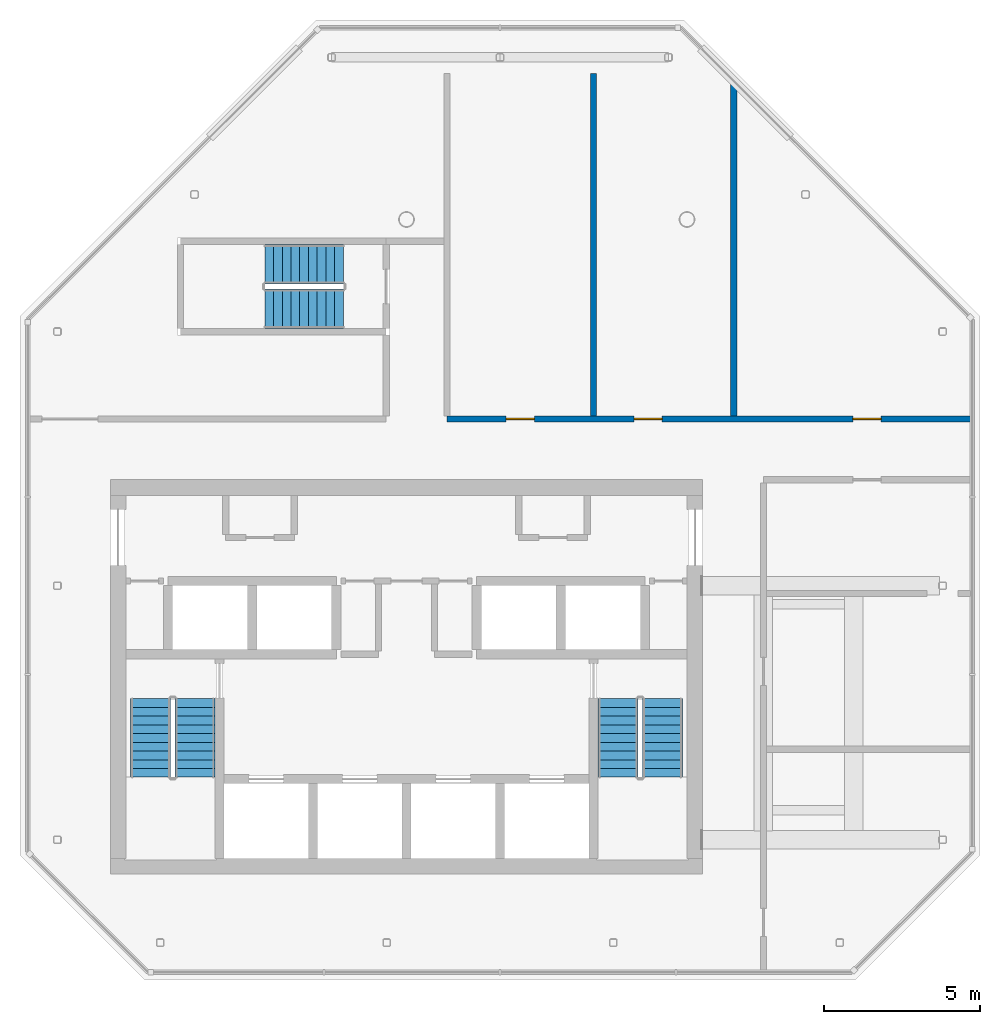
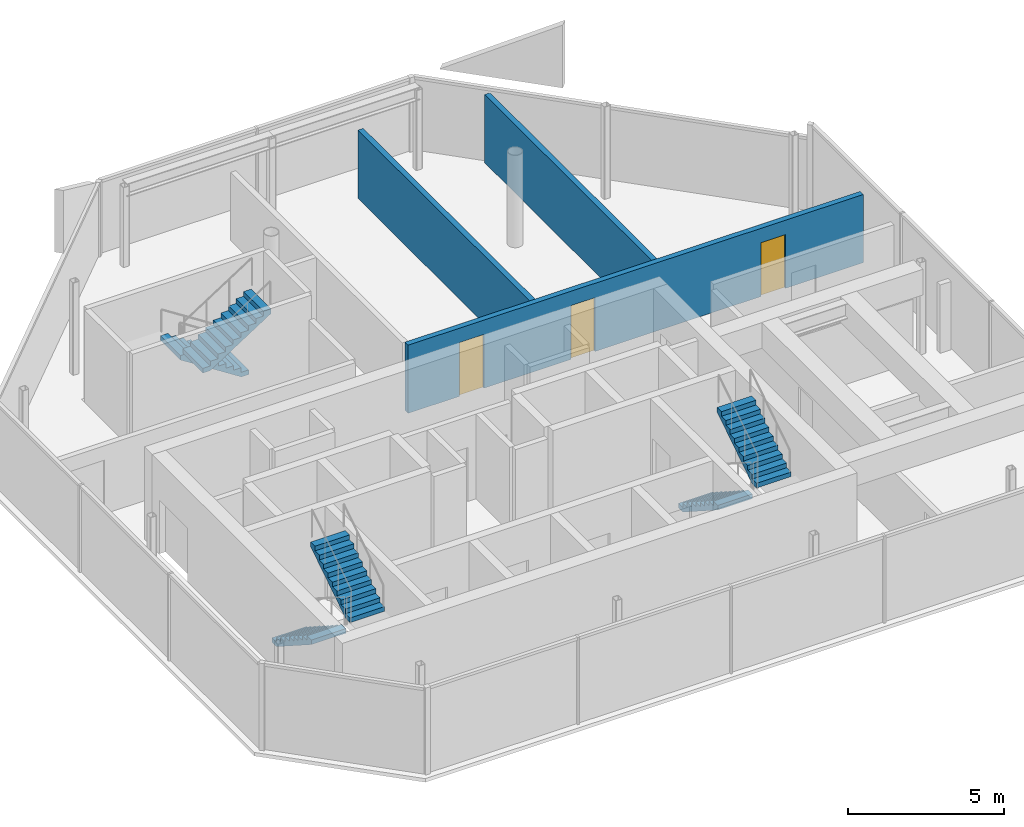
# One storey, part 6 of 7: 6 stair flights, 3 doors, 3 walls, 3 openings, 3 elements without a shape of their own.
"""IFC4 building model written with IfcOpenShell, lengths in metres."""

import ifcopenshell
import ifcopenshell.guid

model = None  # the IFC model being written
_history = None  # IfcOwnerHistory: only IFC2X3 demands one
_inside = {}  # id of a spatial element -> (the spatial element, [elements in it])
_under = {}  # id of a project, library or spatial element -> (it, [spatial elements below it])
_declared = {}  # id of a project -> (the project, [libraries it declares])
_typed = {}  # id of a type object -> (the type object, [elements of that type])
_made_of = {}  # id of a material, layer set ... -> (it, [elements and type objects made of it])


def new_model(schema):
    """Start an empty IFC model of exactly this schema.

    Asked for "IFC4X3", IfcOpenShell would pick the latest addendum, in which some entities
    have other attributes; the version numbers below select the first issue.
    IFC2X3 requires an IfcOwnerHistory on every rooted entity: one is made here for all.
    """
    global model, _history
    if schema == "IFC4X3":
        model = ifcopenshell.file(schema_version=(4, 3, 0, 0))
    else:
        model = ifcopenshell.file(schema=schema)
    _inside.clear()
    _under.clear()
    _declared.clear()
    _typed.clear()
    _made_of.clear()
    _history = None
    if model.schema == "IFC2X3":
        org = make("IfcOrganization", Name="unknown")
        user = make(
            "IfcPersonAndOrganization",
            ThePerson=make("IfcPerson", FamilyName="unknown"),
            TheOrganization=org,
        )
        app = make(
            "IfcApplication",
            ApplicationDeveloper=org,
            Version="unknown",
            ApplicationFullName="unknown",
            ApplicationIdentifier="unknown",
        )
        _history = make(
            "IfcOwnerHistory",
            OwningUser=user,
            OwningApplication=app,
            ChangeAction="ADDED",
            CreationDate=0,
        )
    return model


def make(cls, **values):
    """One entity of the class cls with the attributes given. An attribute that is None is left unset."""
    return model.create_entity(
        cls, **{name: value for name, value in values.items() if value is not None}
    )


def rooted(cls, **values):
    """An entity with a GlobalId (a new one), such as an element, a storey or a relation."""
    return make(cls, GlobalId=ifcopenshell.guid.new(), OwnerHistory=_history, **values)


def si_unit(unit_type, name, prefix=None):
    """IfcSIUnit, for example si_unit("LENGTHUNIT", "METRE", prefix="MILLI")."""
    return make("IfcSIUnit", UnitType=unit_type, Prefix=prefix, Name=name)


def assignment(units):
    """IfcUnitAssignment: the units of a project."""
    return None if units is None else make("IfcUnitAssignment", Units=units)


def point(xyz):
    """IfcCartesianPoint."""
    return None if xyz is None else make("IfcCartesianPoint", Coordinates=xyz)


def direction(xyz):
    """IfcDirection."""
    return None if xyz is None else make("IfcDirection", DirectionRatios=xyz)


def frame(location, z_axis=None, x_axis=None):
    """IfcAxis2Placement3D, a coordinate frame: its origin and axes. An axis left out is left unset."""
    return make(
        "IfcAxis2Placement3D",
        Location=point(location),
        Axis=direction(z_axis),
        RefDirection=direction(x_axis),
    )


def frame_2d(location, x_axis=None):
    """IfcAxis2Placement2D, a coordinate frame in the plane: its origin and x axis."""
    return make(
        "IfcAxis2Placement2D", Location=point(location), RefDirection=direction(x_axis)
    )


def origin():
    """The frame at (0, 0, 0) with its axes left unset."""
    return frame((0.0, 0.0, 0.0))


def place(relative_to, where):
    """IfcLocalPlacement: puts the frame where relative to a parent placement (None: the world)."""
    return make(
        "IfcLocalPlacement", PlacementRelTo=relative_to, RelativePlacement=where
    )


def context(
    kind, dimensions, precision=None, world=None, true_north=None, identifier=None
):
    """IfcGeometricRepresentationContext, for example the 3D "Model" context."""
    return make(
        "IfcGeometricRepresentationContext",
        ContextIdentifier=identifier,
        ContextType=kind,
        CoordinateSpaceDimension=dimensions,
        Precision=precision,
        WorldCoordinateSystem=world,
        TrueNorth=true_north,
    )


def subcontext(parent, identifier, kind, view, scale=None):
    """IfcGeometricRepresentationSubContext, for example "Body" below "Model"."""
    return make(
        "IfcGeometricRepresentationSubContext",
        ContextIdentifier=identifier,
        ContextType=kind,
        ParentContext=parent,
        TargetScale=scale,
        TargetView=view,
    )


def project(units=None, contexts=None):
    """IfcProject with its units and contexts."""
    return rooted(
        "IfcProject",
        Name="project",
        RepresentationContexts=contexts,
        UnitsInContext=assignment(units),
    )


def spatial(cls, under=None, at=None, **own):
    """A site, building, storey or space (cls), placed at a placement, below another one or the project."""
    s = rooted(cls, ObjectPlacement=at, **own)
    if under is not None:
        _under.setdefault(under.id(), (under, []))[1].append(s)
    return s


def polyline(points):
    """IfcPolyline through the points."""
    return make("IfcPolyline", Points=[point(p) for p in points])


def profile(cls, at=None, kind="AREA", **sizes):
    """A parametric profile (cls). Its sizes go by their IFC names, for example OverallWidth=200.0."""
    return make(cls, ProfileType=kind, Position=at, **sizes)


def rectangle(**sizes):
    """IfcRectangleProfileDef."""
    return profile("IfcRectangleProfileDef", **sizes)


def outline(outer, holes=None, kind="AREA"):
    """IfcArbitraryClosedProfileDef: a profile drawn as a closed curve; with holes, ...WithVoids."""
    if holes is None:
        return make("IfcArbitraryClosedProfileDef", ProfileType=kind, OuterCurve=outer)
    return make(
        "IfcArbitraryProfileDefWithVoids",
        ProfileType=kind,
        OuterCurve=outer,
        InnerCurves=holes,
    )


def extrude(swept, where, along, depth):
    """IfcExtrudedAreaSolid: the profile swept, set in the frame where, extruded along a direction by depth."""
    return make(
        "IfcExtrudedAreaSolid",
        SweptArea=swept,
        Position=where,
        ExtrudedDirection=direction(along),
        Depth=depth,
    )


def shape(context_of_items, identifier, shape_type, items):
    """IfcShapeRepresentation: the items that make up one representation, for example the "Body"."""
    return make(
        "IfcShapeRepresentation",
        ContextOfItems=context_of_items,
        RepresentationIdentifier=identifier,
        RepresentationType=shape_type,
        Items=items,
    )


def material(Name=None, Category=None):
    """IfcMaterial."""
    return make("IfcMaterial", Name=Name, Category=Category)


def layer(
    of_material, thickness, ventilated=None, Name=None, Category=None, Priority=None
):
    """IfcMaterialLayer: one layer of a wall or slab, of a material (None: an air gap)."""
    return make(
        "IfcMaterialLayer",
        Material=of_material,
        LayerThickness=thickness,
        IsVentilated=ventilated,
        Name=Name,
        Category=Category,
        Priority=Priority,
    )


def layer_set(layers, Name=None):
    """IfcMaterialLayerSet."""
    return make("IfcMaterialLayerSet", MaterialLayers=layers, LayerSetName=Name)


def made_of(thing, what):
    """Note that an element or type object is made of a material, layer set ...; save() writes the relation."""
    if what is not None:
        _made_of.setdefault(what.id(), (what, []))[1].append(thing)
    return thing


def type_object(cls, material=None, **own):
    """A type object (cls), such as IfcWallType, which elements share."""
    return made_of(rooted(cls, **own), material)


def element(
    cls,
    number,
    at=None,
    inside=None,
    cuts=None,
    type_object=None,
    material=None,
    context=None,
    identifier="Body",
    shape_type=None,
    held_by="IfcProductDefinitionShape",
    body=None,
    shapes=None,
    **own,
):
    """One element of the class cls, such as IfcWall. Its Tag is "e" and its number.

    at: its placement. inside: the storey or other place that contains it. cuts: it is an
    opening in that element (IfcRelVoidsElement). A single representation is given by context,
    identifier, shape_type and body (its items); several are given by shapes. held_by: the class
    of the entity that holds the representations. save() writes the other relations.
    """
    e = rooted(cls, Tag="e%d" % number, ObjectPlacement=at, **own)
    if body is not None:
        shapes = [shape(context, identifier, shape_type, body)]
    if shapes is not None:
        e.Representation = make(held_by, Representations=shapes)
    if inside is not None:
        _inside.setdefault(inside.id(), (inside, []))[1].append(e)
    if cuts is not None:
        rooted(
            "IfcRelVoidsElement", RelatingBuildingElement=cuts, RelatedOpeningElement=e
        )
    if type_object is not None:
        _typed.setdefault(type_object.id(), (type_object, []))[1].append(e)
    return made_of(e, material)


def fill(opening, filler):
    """IfcRelFillsElement: the door or window that sits in an opening."""
    return rooted(
        "IfcRelFillsElement",
        RelatingOpeningElement=opening,
        RelatedBuildingElement=filler,
    )


def aggregate(whole, parts):
    """IfcRelAggregates: a whole, such as a stair, and the parts it consists of."""
    return rooted("IfcRelAggregates", RelatingObject=whole, RelatedObjects=parts)


def save(model, path):
    """Write the relations noted so far, then the file.

    IfcRelAggregates (storeys below a building ...), IfcRelContainedInSpatialStructure (elements
    in a storey), IfcRelDefinesByType, IfcRelAssociatesMaterial and IfcRelDeclares: one each for
    every whole, place, type object, material and project.
    """
    for whole, parts in _under.values():
        aggregate(whole, parts)
    for where, things in _inside.values():
        rooted(
            "IfcRelContainedInSpatialStructure",
            RelatedElements=things,
            RelatingStructure=where,
        )
    for kind, things in _typed.values():
        rooted("IfcRelDefinesByType", RelatedObjects=things, RelatingType=kind)
    for what, things in _made_of.values():
        rooted("IfcRelAssociatesMaterial", RelatedObjects=things, RelatingMaterial=what)
    for by, libraries in _declared.values():
        rooted("IfcRelDeclares", RelatingContext=by, RelatedDefinitions=libraries)
    model.write(path)


model = new_model("IFC4")

# Units and contexts
model_context = context("Model", 3, precision=1e-05, world=origin(), true_north=direction((0.0, 1.0)))
body_context = subcontext(model_context, "Body", "Model", "MODEL_VIEW")
ifc_project = project(units=[si_unit("LENGTHUNIT", "METRE"), si_unit("AREAUNIT", "SQUARE_METRE"), si_unit("VOLUMEUNIT", "CUBIC_METRE"), si_unit("PLANEANGLEUNIT", "RADIAN"), si_unit("MASSUNIT", "GRAM", prefix="KILO")], contexts=[model_context])

# Site, building, storey
site_placement = place(None, origin())
site = spatial("IfcSite", under=ifc_project, at=site_placement, CompositionType="ELEMENT")
building_placement = place(site_placement, origin())
building = spatial("IfcBuilding", under=site, at=building_placement, Name="Tskaro Facet Tower", CompositionType="ELEMENT")
storey_placement = place(building_placement, frame((0.0, 0.0, 297.300048828125)))
storey = spatial("IfcBuildingStorey", under=building, at=storey_placement, Name="L80", CompositionType="ELEMENT", Elevation=297.300048828125)

# Wall, openings, doors
ifc_material_1 = material(Name="Concrete C20/25", Category="concrete")
ifc_layer = layer(ifc_material_1, 0.199951171875, Name="Concrete C20/25")
ifc_layer_set = layer_set([ifc_layer], Name="Concrete C20/25")
wall_type = type_object("IfcWallType", Name="WALL-RISER", PredefinedType="SOLIDWALL", material=ifc_layer_set)
wall_1_placement = place(storey_placement, frame((1.300048828125, 2.60009765625, 0.0), z_axis=(0.0, 0.0, 1.0), x_axis=(1.0, 0.0, 0.0)))
wall_1 = element("IfcWall", 1, at=wall_1_placement, inside=storey, type_object=wall_type, Name="Riser room wall W018", PredefinedType="SOLIDWALL", context=body_context, shape_type="SweptSolid", body=[
    extrude(rectangle(XDim=16.800048828125, YDim=0.199951171875, at=frame_2d((8.39990234375, 0.0))), origin(), (0.0, 0.0, 1.0), 2.659912109375),
])
opening_1_placement = place(wall_1_placement, frame((1.89990234375, 0.0, 0.0)))
opening_1 = element("IfcOpeningElement", 2, at=opening_1_placement, cuts=wall_1, Name="Opening C80-D13", PredefinedType="OPENING", context=body_context, shape_type="SweptSolid", body=[
    extrude(rectangle(XDim=0.89990234375, YDim=2.10009765625, at=frame_2d((0.449951171875, 1.050048828125))), frame((0.0, 0.10986328125, 0.0), z_axis=(0.0, -1.0, 0.0), x_axis=(1.0, 0.0, 0.0)), (0.0, 0.0, 1.0), 0.219970703125),
])
opening_2_placement = place(wall_1_placement, frame((6.0, 0.0, 0.0)))
opening_2 = element("IfcOpeningElement", 3, at=opening_2_placement, cuts=wall_1, Name="Opening C80-D14", PredefinedType="OPENING", context=body_context, shape_type="SweptSolid", body=[
    extrude(rectangle(XDim=0.89990234375, YDim=2.10009765625, at=frame_2d((0.449951171875, 1.050048828125))), frame((0.0, 0.10986328125, 0.0), z_axis=(0.0, -1.0, 0.0), x_axis=(1.0, 0.0, 0.0)), (0.0, 0.0, 1.0), 0.219970703125),
])
opening_3_placement = place(wall_1_placement, frame((13.02490234375, 0.0, 0.0)))
opening_3 = element("IfcOpeningElement", 4, at=opening_3_placement, cuts=wall_1, Name="Opening C80-D15", PredefinedType="OPENING", context=body_context, shape_type="SweptSolid", body=[
    extrude(rectangle(XDim=0.89990234375, YDim=2.10009765625, at=frame_2d((0.449951171875, 1.050048828125))), frame((0.0, 0.10986328125, 0.0), z_axis=(0.0, -1.0, 0.0), x_axis=(1.0, 0.0, 0.0)), (0.0, 0.0, 1.0), 0.219970703125),
])
ifc_material_2 = material(Name="Steel", Category="steel")
door_type = type_object("IfcDoorType", Name="D-RISER", OperationType="NOTDEFINED", PredefinedType="DOOR", material=ifc_material_2)
door_1_placement = place(opening_1_placement, origin())
door_1 = element("IfcDoor", 5, at=door_1_placement, inside=storey, type_object=door_type, Name="Door C80-D13", OperationType="SINGLE_SWING_LEFT", OverallHeight=2.10009765625, OverallWidth=0.89990234375, PredefinedType="DOOR", context=body_context, shape_type="SweptSolid", body=[
    extrude(rectangle(XDim=0.89990234375, YDim=2.10009765625, at=frame_2d((0.449951171875, 1.050048828125))), frame((0.0, 0.02490234375, 0.0), z_axis=(0.0, -1.0, 0.0), x_axis=(1.0, 0.0, 0.0)), (0.0, 0.0, 1.0), 0.050048828125),
])
fill(opening_1, door_1)
door_2_placement = place(opening_2_placement, origin())
door_2 = element("IfcDoor", 6, at=door_2_placement, inside=storey, type_object=door_type, Name="Door C80-D14", OperationType="SINGLE_SWING_LEFT", OverallHeight=2.10009765625, OverallWidth=0.89990234375, PredefinedType="DOOR", context=body_context, shape_type="SweptSolid", body=[
    extrude(rectangle(XDim=0.89990234375, YDim=2.10009765625, at=frame_2d((0.449951171875, 1.050048828125))), frame((0.0, 0.02490234375, 0.0), z_axis=(0.0, -1.0, 0.0), x_axis=(1.0, 0.0, 0.0)), (0.0, 0.0, 1.0), 0.050048828125),
])
fill(opening_2, door_2)
door_3_placement = place(opening_3_placement, origin())
door_3 = element("IfcDoor", 7, at=door_3_placement, inside=storey, type_object=door_type, Name="Door C80-D15", OperationType="SINGLE_SWING_LEFT", OverallHeight=2.10009765625, OverallWidth=0.89990234375, PredefinedType="DOOR", context=body_context, shape_type="SweptSolid", body=[
    extrude(rectangle(XDim=0.89990234375, YDim=2.10009765625, at=frame_2d((0.449951171875, 1.050048828125))), frame((0.0, 0.02490234375, 0.0), z_axis=(0.0, -1.0, 0.0), x_axis=(1.0, 0.0, 0.0)), (0.0, 0.0, 1.0), 0.050048828125),
])
fill(opening_3, door_3)

# Walls
wall_2_placement = place(storey_placement, frame((6.0, 2.699951171875, 0.0), z_axis=(0.0, 0.0, 1.0), x_axis=(0.0, 1.0, 0.0)))
element("IfcWall", 8, at=wall_2_placement, inside=storey, type_object=wall_type, Name="Riser room wall W042", PredefinedType="SOLIDWALL", context=body_context, shape_type="SweptSolid", body=[
    extrude(rectangle(XDim=10.97998046875, YDim=0.199951171875, at=frame_2d((5.489990234375, 0.0))), origin(), (0.0, 0.0, 1.0), 2.659912109375),
])
wall_3_placement = place(storey_placement, frame((10.5, 2.699951171875, 0.0), z_axis=(0.0, 0.0, 1.0), x_axis=(0.0, 1.0, 0.0)))
element("IfcWall", 9, at=wall_3_placement, inside=storey, type_object=wall_type, Name="Riser room wall W044", PredefinedType="SOLIDWALL", context=body_context, shape_type="SweptSolid", body=[
    extrude(rectangle(XDim=10.676025390625, YDim=0.199951171875, at=frame_2d((5.337890625, 0.0))), origin(), (0.0, 0.0, 1.0), 2.659912109375),
])

# Stair, stair flights
ifc_material_3 = material(Name="Concrete C40/50", Category="concrete")
stair_type = type_object("IfcStairType", Name="ST-TWR", PredefinedType="HALF_TURN_STAIR", material=ifc_material_3)
stair_1_placement = place(storey_placement, origin())
stair_1 = element("IfcStair", 10, at=stair_1_placement, inside=storey, type_object=stair_type, Name="L80 Exit stair 1", PredefinedType="HALF_TURN_STAIR")
stair_flight_type = type_object("IfcStairFlightType", Name="SFL-RC", PredefinedType="STRAIGHT", material=ifc_material_3)
stair_flight_1_placement = place(storey_placement, frame((-8.21240234375, -6.375, 0.0), z_axis=(0.0, 0.0, 1.0), x_axis=(0.0, -1.0, 0.0)))
stair_flight_1 = element("IfcStairFlight", 11, at=stair_flight_1_placement, type_object=stair_flight_type, Name="ST-1 flight 1", NumberOfRisers=10, NumberOfTreads=9, PredefinedType="STRAIGHT", RiserHeight=0.18, TreadLength=0.28, context=body_context, shape_type="SweptSolid", body=[
    extrude(outline(polyline([(0.0, 0.0), (0.0, 0.179931640625), (0.280029296875, 0.179931640625), (0.280029296875, 0.360107421875), (0.56005859375, 0.360107421875), (0.56005859375, 0.5400390625), (0.840087890625, 0.5400390625), (0.840087890625, 0.719970703125), (1.1201171875, 0.719970703125), (1.1201171875, 0.89990234375), (1.39990234375, 0.89990234375), (1.39990234375, 1.080078125), (1.679931640625, 1.080078125), (1.679931640625, 1.260009765625), (1.9599609375, 1.260009765625), (1.9599609375, 1.43994140625), (2.239990234375, 1.43994140625), (2.239990234375, 1.6201171875), (2.52001953125, 1.6201171875), (2.52001953125, 1.800048828125), (2.52001953125, 1.44189453125), (0.277099609375, 0.0), (0.0, 0.0)])), frame((0.0, 0.637451171875, 0.0), z_axis=(0.0, -1.0, 0.0), x_axis=(1.0, 0.0, 0.0)), (0.0, 0.0, 1.0), 1.27490234375),
])
stair_flight_2_placement = place(storey_placement, frame((-6.78759765625, -8.89501953125, 1.800048828125), z_axis=(0.0, 0.0, 1.0), x_axis=(0.0, 1.0, 0.0)))
stair_flight_2 = element("IfcStairFlight", 12, at=stair_flight_2_placement, type_object=stair_flight_type, Name="ST-1 flight 2", NumberOfRisers=10, NumberOfTreads=9, PredefinedType="STRAIGHT", RiserHeight=0.18, TreadLength=0.28, context=body_context, shape_type="SweptSolid", body=[
    extrude(outline(polyline([(0.0, 0.0), (0.0, 0.179931640625), (0.280029296875, 0.179931640625), (0.280029296875, 0.360107421875), (0.56005859375, 0.360107421875), (0.56005859375, 0.5400390625), (0.840087890625, 0.5400390625), (0.840087890625, 0.719970703125), (1.1201171875, 0.719970703125), (1.1201171875, 0.89990234375), (1.39990234375, 0.89990234375), (1.39990234375, 1.080078125), (1.679931640625, 1.080078125), (1.679931640625, 1.260009765625), (1.9599609375, 1.260009765625), (1.9599609375, 1.43994140625), (2.239990234375, 1.43994140625), (2.239990234375, 1.6201171875), (2.52001953125, 1.6201171875), (2.52001953125, 1.800048828125), (2.52001953125, 1.44189453125), (0.277099609375, 0.0), (0.0, 0.0)])), frame((0.0, 0.637451171875, 0.0), z_axis=(0.0, -1.0, 0.0), x_axis=(1.0, 0.0, 0.0)), (0.0, 0.0, 1.0), 1.27490234375),
])
aggregate(stair_1, [stair_flight_1, stair_flight_2])

stair_2_placement = place(storey_placement, origin())
stair_2 = element("IfcStair", 13, at=stair_2_placement, inside=storey, type_object=stair_type, Name="L80 Exit stair 2", PredefinedType="HALF_TURN_STAIR")
stair_flight_3_placement = place(storey_placement, frame((6.78759765625, -6.375, 0.0), z_axis=(0.0, 0.0, 1.0), x_axis=(0.0, -1.0, 0.0)))
stair_flight_3 = element("IfcStairFlight", 14, at=stair_flight_3_placement, type_object=stair_flight_type, Name="ST-2 flight 1", NumberOfRisers=10, NumberOfTreads=9, PredefinedType="STRAIGHT", RiserHeight=0.18, TreadLength=0.28, context=body_context, shape_type="SweptSolid", body=[
    extrude(outline(polyline([(0.0, 0.0), (0.0, 0.179931640625), (0.280029296875, 0.179931640625), (0.280029296875, 0.360107421875), (0.56005859375, 0.360107421875), (0.56005859375, 0.5400390625), (0.840087890625, 0.5400390625), (0.840087890625, 0.719970703125), (1.1201171875, 0.719970703125), (1.1201171875, 0.89990234375), (1.39990234375, 0.89990234375), (1.39990234375, 1.080078125), (1.679931640625, 1.080078125), (1.679931640625, 1.260009765625), (1.9599609375, 1.260009765625), (1.9599609375, 1.43994140625), (2.239990234375, 1.43994140625), (2.239990234375, 1.6201171875), (2.52001953125, 1.6201171875), (2.52001953125, 1.800048828125), (2.52001953125, 1.44189453125), (0.277099609375, 0.0), (0.0, 0.0)])), frame((0.0, 0.637451171875, 0.0), z_axis=(0.0, -1.0, 0.0), x_axis=(1.0, 0.0, 0.0)), (0.0, 0.0, 1.0), 1.27490234375),
])
stair_flight_4_placement = place(storey_placement, frame((8.21240234375, -8.89501953125, 1.800048828125), z_axis=(0.0, 0.0, 1.0), x_axis=(0.0, 1.0, 0.0)))
stair_flight_4 = element("IfcStairFlight", 15, at=stair_flight_4_placement, type_object=stair_flight_type, Name="ST-2 flight 2", NumberOfRisers=10, NumberOfTreads=9, PredefinedType="STRAIGHT", RiserHeight=0.18, TreadLength=0.28, context=body_context, shape_type="SweptSolid", body=[
    extrude(outline(polyline([(0.0, 0.0), (0.0, 0.179931640625), (0.280029296875, 0.179931640625), (0.280029296875, 0.360107421875), (0.56005859375, 0.360107421875), (0.56005859375, 0.5400390625), (0.840087890625, 0.5400390625), (0.840087890625, 0.719970703125), (1.1201171875, 0.719970703125), (1.1201171875, 0.89990234375), (1.39990234375, 0.89990234375), (1.39990234375, 1.080078125), (1.679931640625, 1.080078125), (1.679931640625, 1.260009765625), (1.9599609375, 1.260009765625), (1.9599609375, 1.43994140625), (2.239990234375, 1.43994140625), (2.239990234375, 1.6201171875), (2.52001953125, 1.6201171875), (2.52001953125, 1.800048828125), (2.52001953125, 1.44189453125), (0.277099609375, 0.0), (0.0, 0.0)])), frame((0.0, 0.637451171875, 0.0), z_axis=(0.0, -1.0, 0.0), x_axis=(1.0, 0.0, 0.0)), (0.0, 0.0, 1.0), 1.27490234375),
])
aggregate(stair_2, [stair_flight_3, stair_flight_4])

stair_3_placement = place(storey_placement, origin())
stair_3 = element("IfcStair", 16, at=stair_3_placement, inside=storey, type_object=stair_type, Name="L80 Exit stair 3", PredefinedType="HALF_TURN_STAIR")
stair_flight_5_placement = place(storey_placement, frame((-2.02490234375, 7.5625, 0.0), z_axis=(0.0, 0.0, 1.0), x_axis=(-1.0, 0.0, 0.0)))
stair_flight_5 = element("IfcStairFlight", 17, at=stair_flight_5_placement, type_object=stair_flight_type, Name="ST-3 flight 1", NumberOfRisers=10, NumberOfTreads=9, PredefinedType="STRAIGHT", RiserHeight=0.18, TreadLength=0.28, context=body_context, shape_type="SweptSolid", body=[
    extrude(outline(polyline([(0.0, 0.0), (0.0, 0.179931640625), (0.280029296875, 0.179931640625), (0.280029296875, 0.360107421875), (0.56005859375, 0.360107421875), (0.56005859375, 0.5400390625), (0.840087890625, 0.5400390625), (0.840087890625, 0.719970703125), (1.1201171875, 0.719970703125), (1.1201171875, 0.89990234375), (1.39990234375, 0.89990234375), (1.39990234375, 1.080078125), (1.679931640625, 1.080078125), (1.679931640625, 1.260009765625), (1.9599609375, 1.260009765625), (1.9599609375, 1.43994140625), (2.239990234375, 1.43994140625), (2.239990234375, 1.6201171875), (2.52001953125, 1.6201171875), (2.52001953125, 1.800048828125), (2.52001953125, 1.44189453125), (0.277099609375, 0.0), (0.0, 0.0)])), frame((0.0, 0.637451171875, 0.0), z_axis=(0.0, -1.0, 0.0), x_axis=(1.0, 0.0, 0.0)), (0.0, 0.0, 1.0), 1.27490234375),
])
stair_flight_6_placement = place(storey_placement, frame((-4.544921875, 6.137451171875, 1.800048828125), z_axis=(0.0, 0.0, 1.0), x_axis=(1.0, 0.0, 0.0)))
stair_flight_6 = element("IfcStairFlight", 18, at=stair_flight_6_placement, type_object=stair_flight_type, Name="ST-3 flight 2", NumberOfRisers=10, NumberOfTreads=9, PredefinedType="STRAIGHT", RiserHeight=0.18, TreadLength=0.28, context=body_context, shape_type="SweptSolid", body=[
    extrude(outline(polyline([(0.0, 0.0), (0.0, 0.179931640625), (0.280029296875, 0.179931640625), (0.280029296875, 0.360107421875), (0.56005859375, 0.360107421875), (0.56005859375, 0.5400390625), (0.840087890625, 0.5400390625), (0.840087890625, 0.719970703125), (1.1201171875, 0.719970703125), (1.1201171875, 0.89990234375), (1.39990234375, 0.89990234375), (1.39990234375, 1.080078125), (1.679931640625, 1.080078125), (1.679931640625, 1.260009765625), (1.9599609375, 1.260009765625), (1.9599609375, 1.43994140625), (2.239990234375, 1.43994140625), (2.239990234375, 1.6201171875), (2.52001953125, 1.6201171875), (2.52001953125, 1.800048828125), (2.52001953125, 1.44189453125), (0.277099609375, 0.0), (0.0, 0.0)])), frame((0.0, 0.637451171875, 0.0), z_axis=(0.0, -1.0, 0.0), x_axis=(1.0, 0.0, 0.0)), (0.0, 0.0, 1.0), 1.27490234375),
])
aggregate(stair_3, [stair_flight_5, stair_flight_6])

save(model, "model.ifc")
